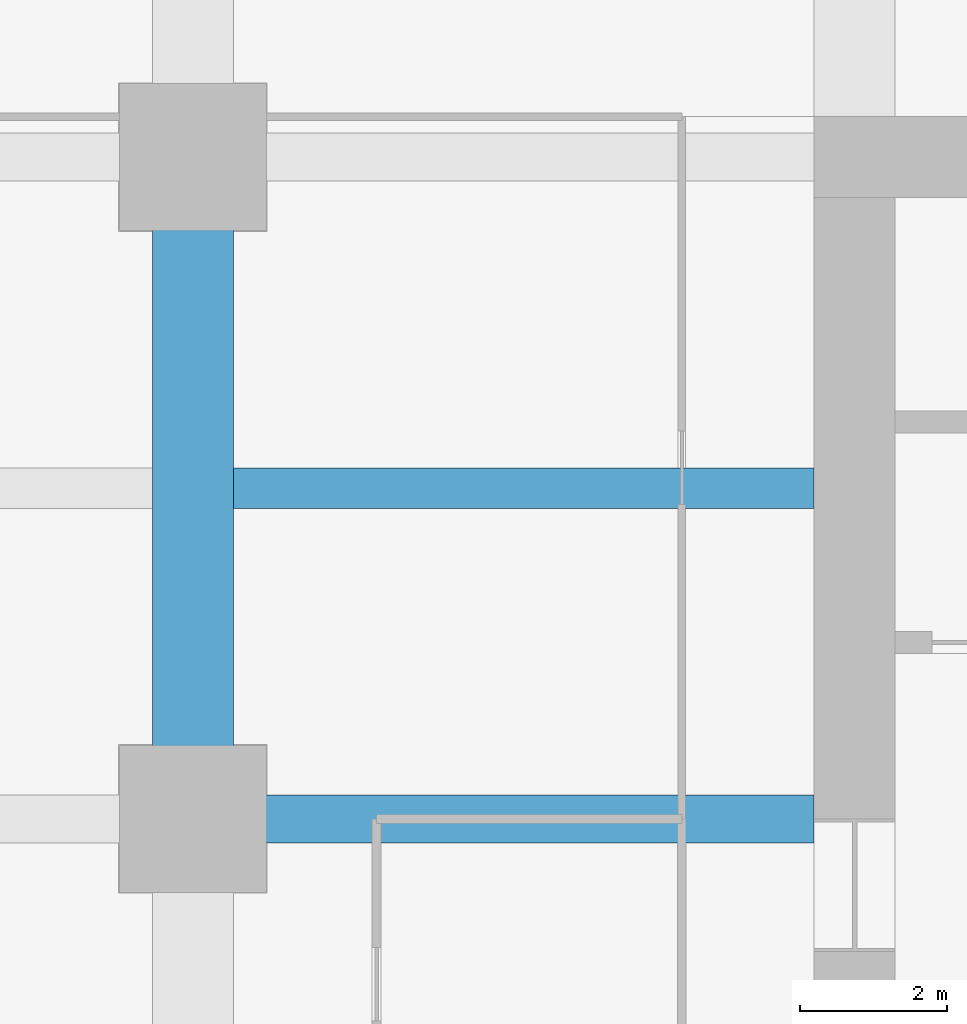
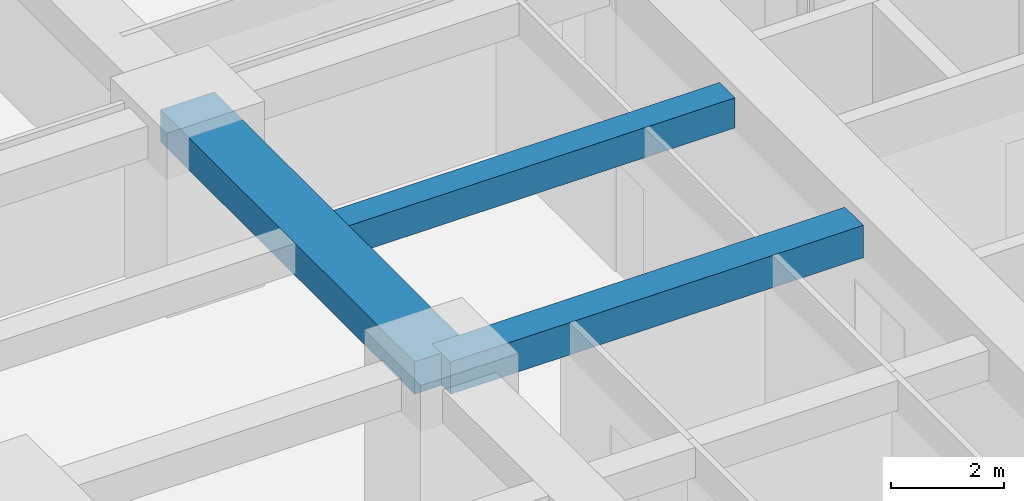
# One storey, part 12 of 41: 3 beams.
"""IFC4 building model written with IfcOpenShell, lengths in metres."""

from ifc_helpers import new_model, si_unit, direction, frame, origin, origin_2d, place, context, subcontext, project, spatial, rectangle, extrude, material, material_profile, profile_set, type_object, element, save


model = new_model("IFC4")

# Units and contexts
model_context = context("Model", 3, precision=1e-05, world=origin(), true_north=direction((0.0, 1.0)))
body_context = subcontext(model_context, "Body", "Model", "MODEL_VIEW")
ifc_project = project(units=[si_unit("LENGTHUNIT", "METRE"), si_unit("AREAUNIT", "SQUARE_METRE"), si_unit("VOLUMEUNIT", "CUBIC_METRE"), si_unit("PLANEANGLEUNIT", "RADIAN"), si_unit("MASSUNIT", "GRAM", prefix="KILO")], contexts=[model_context])

# Site, building, storey
site_placement = place(None, origin())
site = spatial("IfcSite", under=ifc_project, at=site_placement, CompositionType="ELEMENT")
building_placement = place(site_placement, origin())
building = spatial("IfcBuilding", under=site, at=building_placement, Name="Zorevar Civic Tower", CompositionType="ELEMENT")
storey_placement = place(building_placement, frame((0.0, 0.0, 101.0)))
storey = spatial("IfcBuildingStorey", under=building, at=storey_placement, Name="L24", CompositionType="ELEMENT", Elevation=101.0)

# Beams
ifc_material_1 = material(Name="Concrete C50/60", Category="concrete")
ifc_material_profile_1 = material_profile(ifc_material_1, rectangle(XDim=1.10009765625, YDim=0.699951171875, at=origin_2d()), Name="RC 1100x700")
ifc_profile_set_1 = profile_set([ifc_material_profile_1], Name="Concrete C50/60")
beam_type_1 = type_object("IfcBeamType", Name="Beam RC 1100x700", PredefinedType="BEAM", material=ifc_profile_set_1)
beam_1_placement = place(storey_placement, frame((9.0, 27.0, 3.39990234375), z_axis=(0.0, 1.0, 0.0), x_axis=(-1.0, 0.0, 0.0)))
element("IfcBeam", 1, at=beam_1_placement, inside=storey, type_object=beam_type_1, Name="Girder L25", PredefinedType="BEAM", context=body_context, shape_type="SweptSolid", body=[
    extrude(rectangle(XDim=1.10009765625, YDim=0.699951171875, at=origin_2d()), origin(), (0.0, 0.0, 1.0), 9.0),
])
ifc_material_2 = material(Name="Concrete C50/60", Category="concrete")
ifc_material_profile_2 = material_profile(ifc_material_2, rectangle(XDim=0.550048828125, YDim=0.64990234375, at=origin_2d()), Name="RC 550x650")
ifc_profile_set_2 = profile_set([ifc_material_profile_2], Name="Concrete C50/60")
beam_type_2 = type_object("IfcBeamType", Name="Beam RC 550x650", PredefinedType="BEAM", material=ifc_profile_set_2)
beam_2_placement = place(storey_placement, frame((9.550048828125, 31.5, 3.425048828125), z_axis=(1.0, 0.0, 0.0), x_axis=(0.0, 1.0, 0.0)))
element("IfcBeam", 2, at=beam_2_placement, inside=storey, type_object=beam_type_2, Name="Secondary beam L25", PredefinedType="BEAM", context=body_context, shape_type="SweptSolid", body=[
    extrude(rectangle(XDim=0.550048828125, YDim=0.64990234375, at=origin_2d()), origin(), (0.0, 0.0, 1.0), 7.89990234375),
])
ifc_material_3 = material(Name="Concrete C50/60", Category="concrete")
ifc_material_profile_3 = material_profile(ifc_material_3, rectangle(XDim=0.64990234375, YDim=0.699951171875, at=origin_2d()), Name="RC 650x700")
ifc_profile_set_3 = profile_set([ifc_material_profile_3], Name="Concrete C50/60")
beam_type_3 = type_object("IfcBeamType", Name="Beam RC 650x700", PredefinedType="BEAM", material=ifc_profile_set_3)
beam_3_placement = place(storey_placement, frame((9.0, 27.0, 3.39990234375), z_axis=(1.0, 0.0, 0.0), x_axis=(0.0, 1.0, 0.0)))
element("IfcBeam", 3, at=beam_3_placement, inside=storey, type_object=beam_type_3, Name="Girder L25", PredefinedType="BEAM", context=body_context, shape_type="SweptSolid", body=[
    extrude(rectangle(XDim=0.64990234375, YDim=0.699951171875, at=origin_2d()), origin(), (0.0, 0.0, 1.0), 8.449951171875),
])

save(model, "model.ifc")
